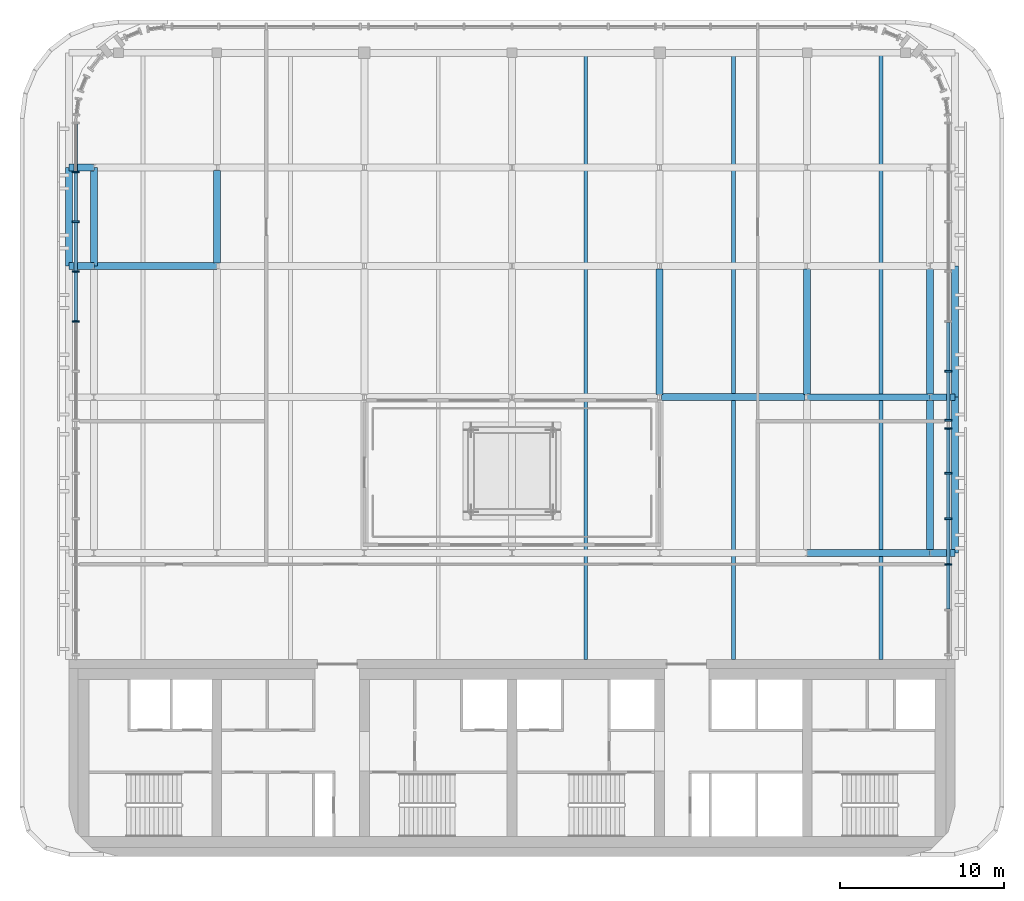
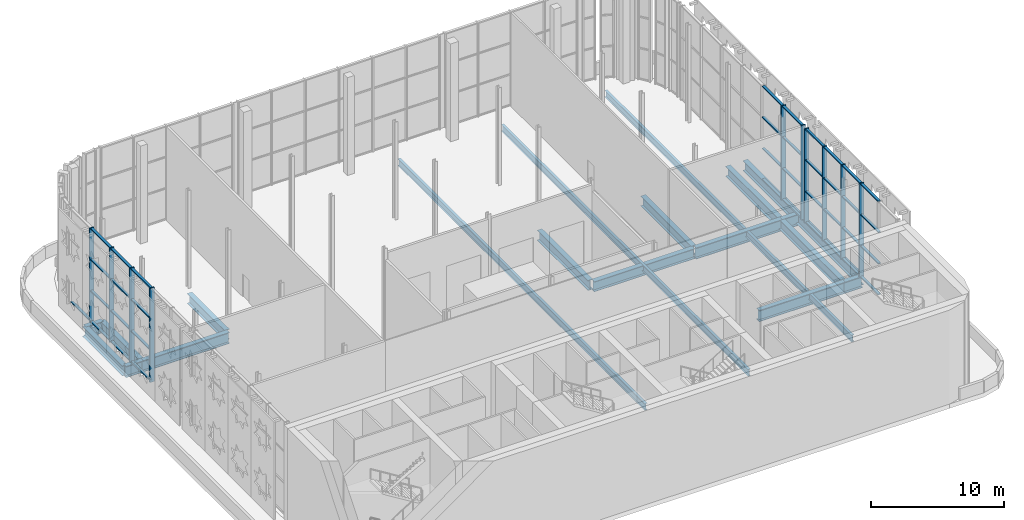
# One storey, part 11 of 26: 47 members, 20 beams, 3 elements without a shape of their own.
"""IFC4 building model written with IfcOpenShell, lengths in metres."""

from ifc_helpers import new_model, si_unit, direction, frame, origin, origin_2d, place, context, subcontext, project, spatial, rectangle, i_section, extrude, material, material_profile, profile_set, type_object, element, aggregate, save


model = new_model("IFC4")

# Units and contexts
model_context = context("Model", 3, precision=1e-05, world=origin(), true_north=direction((0.0, 1.0)))
body_context = subcontext(model_context, "Body", "Model", "MODEL_VIEW")
ifc_project = project(units=[si_unit("LENGTHUNIT", "METRE"), si_unit("AREAUNIT", "SQUARE_METRE"), si_unit("VOLUMEUNIT", "CUBIC_METRE"), si_unit("PLANEANGLEUNIT", "RADIAN"), si_unit("MASSUNIT", "GRAM", prefix="KILO")], contexts=[model_context])

# Site, building, storey
site_placement = place(None, origin())
site = spatial("IfcSite", under=ifc_project, at=site_placement, CompositionType="ELEMENT")
building_placement = place(site_placement, origin())
building = spatial("IfcBuilding", under=site, at=building_placement, Name="Zellij Exchange Tower", CompositionType="ELEMENT")
storey_placement = place(building_placement, frame((0.0, 0.0, 296.5)))
storey = spatial("IfcBuildingStorey", under=building, at=storey_placement, Name="L70", CompositionType="ELEMENT", Elevation=296.5)

# Curtain wall, members
ifc_material_1 = material(Name="Bronze anodised aluminium frame, bronze laminated glass", Category="aluminium")
curtain_wall_type = type_object("IfcCurtainWallType", Name="ENV-CW5 Damper-gallery glazing", PredefinedType="NOTDEFINED", material=ifc_material_1)
curtain_wall_1_placement = place(storey_placement, origin())
curtain_wall_1 = element("IfcCurtainWall", 1, at=curtain_wall_1_placement, inside=storey, type_object=curtain_wall_type, Name="cw.L70.04a", PredefinedType="NOTDEFINED")
ifc_material_2 = material(Name="Aluminium, bronze anodised", Category="aluminium")
ifc_material_profile_1 = material_profile(ifc_material_2, rectangle(XDim=0.10009765625, YDim=0.39990234375, at=origin_2d()), Name="AL 100x400")
ifc_profile_set_1 = profile_set([ifc_material_profile_1], Name="Aluminium, bronze anodised")
member_type_1 = type_object("IfcMemberType", Name="ENV-CW5M Mullion 100x400", PredefinedType="MULLION", material=ifc_profile_set_1)
member_1_placement = place(storey_placement, frame((26.60009765625, 3.806884765625, 0.0), z_axis=(0.0, 0.0, 1.0), x_axis=(0.0, 1.0, 0.0)))
member_1 = element("IfcMember", 2, at=member_1_placement, type_object=member_type_1, Name="CW5 mullion 3", PredefinedType="MULLION", context=body_context, shape_type="SweptSolid", body=[
    extrude(rectangle(XDim=0.10009765625, YDim=0.39990234375, at=origin_2d()), origin(), (0.0, 0.0, 1.0), 8.64990234375),
])
member_2_placement = place(storey_placement, frame((26.60009765625, 6.585205078125, 0.0), z_axis=(0.0, 0.0, 1.0), x_axis=(0.0, 1.0, 0.0)))
member_2 = element("IfcMember", 3, at=member_2_placement, type_object=member_type_1, Name="CW5 mullion 4", PredefinedType="MULLION", context=body_context, shape_type="SweptSolid", body=[
    extrude(rectangle(XDim=0.10009765625, YDim=0.39990234375, at=origin_2d()), origin(), (0.0, 0.0, 1.0), 8.64990234375),
])
member_3_placement = place(storey_placement, frame((26.60009765625, 9.36376953125, 0.0), z_axis=(0.0, 0.0, 1.0), x_axis=(0.0, 1.0, 0.0)))
member_3 = element("IfcMember", 4, at=member_3_placement, type_object=member_type_1, Name="CW5 mullion 5", PredefinedType="MULLION", context=body_context, shape_type="SweptSolid", body=[
    extrude(rectangle(XDim=0.10009765625, YDim=0.39990234375, at=origin_2d()), origin(), (0.0, 0.0, 1.0), 8.64990234375),
])
member_4_placement = place(storey_placement, frame((26.60009765625, 12.09228515625, 0.0), z_axis=(0.0, 0.0, 1.0), x_axis=(0.0, 1.0, 0.0)))
member_4 = element("IfcMember", 5, at=member_4_placement, type_object=member_type_1, Name="CW5 mullion 6", PredefinedType="MULLION", context=body_context, shape_type="SweptSolid", body=[
    extrude(rectangle(XDim=0.10009765625, YDim=0.39990234375, at=origin_2d()), origin(), (0.0, 0.0, 1.0), 8.64990234375),
])

curtain_wall_2_placement = place(storey_placement, origin())
curtain_wall_2 = element("IfcCurtainWall", 6, at=curtain_wall_2_placement, inside=storey, type_object=curtain_wall_type, Name="cw.L70.04b", PredefinedType="NOTDEFINED")
member_5_placement = place(storey_placement, frame((26.60009765625, 12.59228515625, 0.0), z_axis=(0.0, 0.0, 1.0), x_axis=(0.0, 1.0, 0.0)))
member_5 = element("IfcMember", 7, at=member_5_placement, type_object=member_type_1, Name="CW5 mullion 1", PredefinedType="MULLION", context=body_context, shape_type="SweptSolid", body=[
    extrude(rectangle(XDim=0.10009765625, YDim=0.39990234375, at=origin_2d()), origin(), (0.0, 0.0, 1.0), 8.64990234375),
])
member_6_placement = place(storey_placement, frame((26.60009765625, 15.580810546875, 0.0), z_axis=(0.0, 0.0, 1.0), x_axis=(0.0, 1.0, 0.0)))
member_6 = element("IfcMember", 8, at=member_6_placement, type_object=member_type_1, Name="CW5 mullion 2", PredefinedType="MULLION", context=body_context, shape_type="SweptSolid", body=[
    extrude(rectangle(XDim=0.10009765625, YDim=0.39990234375, at=origin_2d()), origin(), (0.0, 0.0, 1.0), 8.64990234375),
])

curtain_wall_3_placement = place(storey_placement, origin())
curtain_wall_3 = element("IfcCurtainWall", 9, at=curtain_wall_3_placement, inside=storey, type_object=curtain_wall_type, Name="cw.L70.18a", PredefinedType="NOTDEFINED")
member_7_placement = place(storey_placement, frame((-26.60009765625, 27.735107421875, 0.0), z_axis=(0.0, 0.0, 1.0), x_axis=(0.0, -1.0, 0.0)))
member_7 = element("IfcMember", 10, at=member_7_placement, type_object=member_type_1, Name="CW5 mullion 2", PredefinedType="MULLION", context=body_context, shape_type="SweptSolid", body=[
    extrude(rectangle(XDim=0.10009765625, YDim=0.39990234375, at=origin_2d()), origin(), (0.0, 0.0, 1.0), 8.64990234375),
])
member_8_placement = place(storey_placement, frame((-26.60009765625, 24.696533203125, 0.0), z_axis=(0.0, 0.0, 1.0), x_axis=(0.0, -1.0, 0.0)))
member_8 = element("IfcMember", 11, at=member_8_placement, type_object=member_type_1, Name="CW5 mullion 3", PredefinedType="MULLION", context=body_context, shape_type="SweptSolid", body=[
    extrude(rectangle(XDim=0.10009765625, YDim=0.39990234375, at=origin_2d()), origin(), (0.0, 0.0, 1.0), 8.64990234375),
])
member_9_placement = place(storey_placement, frame((-26.60009765625, 21.657958984375, 0.0), z_axis=(0.0, 0.0, 1.0), x_axis=(0.0, -1.0, 0.0)))
member_9 = element("IfcMember", 12, at=member_9_placement, type_object=member_type_1, Name="CW5 mullion 4", PredefinedType="MULLION", context=body_context, shape_type="SweptSolid", body=[
    extrude(rectangle(XDim=0.10009765625, YDim=0.39990234375, at=origin_2d()), origin(), (0.0, 0.0, 1.0), 8.64990234375),
])
member_10_placement = place(storey_placement, frame((-26.60009765625, 18.619384765625, 0.0), z_axis=(0.0, 0.0, 1.0), x_axis=(0.0, -1.0, 0.0)))
member_10 = element("IfcMember", 13, at=member_10_placement, type_object=member_type_1, Name="CW5 mullion 5", PredefinedType="MULLION", context=body_context, shape_type="SweptSolid", body=[
    extrude(rectangle(XDim=0.10009765625, YDim=0.39990234375, at=origin_2d()), origin(), (0.0, 0.0, 1.0), 8.64990234375),
])

# Member
ifc_material_profile_2 = material_profile(ifc_material_2, rectangle(XDim=0.219970703125, YDim=0.10009765625, at=origin_2d()), Name="AL 220x100")
ifc_profile_set_2 = profile_set([ifc_material_profile_2], Name="Aluminium, bronze anodised")
member_type_2 = type_object("IfcMemberType", Name="ENV-CW5T Transom 220x100", PredefinedType="USERDEFINED", material=ifc_profile_set_2)
member_11_placement = place(storey_placement, frame((26.60009765625, 1.078369140625, 0.050048828125), z_axis=(0.0, 1.0, 0.0), x_axis=(-1.0, 0.0, 0.0)))
member_11 = element("IfcMember", 14, at=member_11_placement, type_object=member_type_2, Name="CW5 transom 2.1", ObjectType="TRANSOM", PredefinedType="USERDEFINED", context=body_context, shape_type="SweptSolid", body=[
    extrude(rectangle(XDim=0.219970703125, YDim=0.10009765625, at=origin_2d()), origin(), (0.0, 0.0, 1.0), 2.678466796875),
])

member_12_placement = place(storey_placement, frame((26.60009765625, 1.078369140625, 2.88330078125), z_axis=(0.0, 1.0, 0.0), x_axis=(-1.0, 0.0, 0.0)))
member_12 = element("IfcMember", 15, at=member_12_placement, type_object=member_type_2, Name="CW5 transom 2.2", ObjectType="TRANSOM", PredefinedType="USERDEFINED", context=body_context, shape_type="SweptSolid", body=[
    extrude(rectangle(XDim=0.219970703125, YDim=0.10009765625, at=origin_2d()), origin(), (0.0, 0.0, 1.0), 2.678466796875),
])

member_13_placement = place(storey_placement, frame((26.60009765625, 1.078369140625, 5.7666015625), z_axis=(0.0, 1.0, 0.0), x_axis=(-1.0, 0.0, 0.0)))
member_13 = element("IfcMember", 16, at=member_13_placement, type_object=member_type_2, Name="CW5 transom 2.3", ObjectType="TRANSOM", PredefinedType="USERDEFINED", context=body_context, shape_type="SweptSolid", body=[
    extrude(rectangle(XDim=0.219970703125, YDim=0.10009765625, at=origin_2d()), origin(), (0.0, 0.0, 1.0), 2.678466796875),
])

member_14_placement = place(storey_placement, frame((26.60009765625, 1.078369140625, 8.60009765625), z_axis=(0.0, 1.0, 0.0), x_axis=(-1.0, 0.0, 0.0)))
member_14 = element("IfcMember", 17, at=member_14_placement, type_object=member_type_2, Name="CW5 transom 2.4", ObjectType="TRANSOM", PredefinedType="USERDEFINED", context=body_context, shape_type="SweptSolid", body=[
    extrude(rectangle(XDim=0.219970703125, YDim=0.10009765625, at=origin_2d()), origin(), (0.0, 0.0, 1.0), 2.678466796875),
])

member_15_placement = place(storey_placement, frame((26.60009765625, 3.85693359375, 0.050048828125), z_axis=(0.0, 1.0, 0.0), x_axis=(-1.0, 0.0, 0.0)))
member_15 = element("IfcMember", 18, at=member_15_placement, type_object=member_type_2, Name="CW5 transom 3.1", ObjectType="TRANSOM", PredefinedType="USERDEFINED", context=body_context, shape_type="SweptSolid", body=[
    extrude(rectangle(XDim=0.219970703125, YDim=0.10009765625, at=origin_2d()), origin(), (0.0, 0.0, 1.0), 2.678466796875),
])

member_16_placement = place(storey_placement, frame((26.60009765625, 3.85693359375, 2.88330078125), z_axis=(0.0, 1.0, 0.0), x_axis=(-1.0, 0.0, 0.0)))
member_16 = element("IfcMember", 19, at=member_16_placement, type_object=member_type_2, Name="CW5 transom 3.2", ObjectType="TRANSOM", PredefinedType="USERDEFINED", context=body_context, shape_type="SweptSolid", body=[
    extrude(rectangle(XDim=0.219970703125, YDim=0.10009765625, at=origin_2d()), origin(), (0.0, 0.0, 1.0), 2.678466796875),
])

member_17_placement = place(storey_placement, frame((26.60009765625, 3.85693359375, 5.7666015625), z_axis=(0.0, 1.0, 0.0), x_axis=(-1.0, 0.0, 0.0)))
member_17 = element("IfcMember", 20, at=member_17_placement, type_object=member_type_2, Name="CW5 transom 3.3", ObjectType="TRANSOM", PredefinedType="USERDEFINED", context=body_context, shape_type="SweptSolid", body=[
    extrude(rectangle(XDim=0.219970703125, YDim=0.10009765625, at=origin_2d()), origin(), (0.0, 0.0, 1.0), 2.678466796875),
])

member_18_placement = place(storey_placement, frame((26.60009765625, 3.85693359375, 8.60009765625), z_axis=(0.0, 1.0, 0.0), x_axis=(-1.0, 0.0, 0.0)))
member_18 = element("IfcMember", 21, at=member_18_placement, type_object=member_type_2, Name="CW5 transom 3.4", ObjectType="TRANSOM", PredefinedType="USERDEFINED", context=body_context, shape_type="SweptSolid", body=[
    extrude(rectangle(XDim=0.219970703125, YDim=0.10009765625, at=origin_2d()), origin(), (0.0, 0.0, 1.0), 2.678466796875),
])

member_19_placement = place(storey_placement, frame((26.60009765625, 6.63525390625, 0.050048828125), z_axis=(0.0, 1.0, 0.0), x_axis=(-1.0, 0.0, 0.0)))
member_19 = element("IfcMember", 22, at=member_19_placement, type_object=member_type_2, Name="CW5 transom 4.1", ObjectType="TRANSOM", PredefinedType="USERDEFINED", context=body_context, shape_type="SweptSolid", body=[
    extrude(rectangle(XDim=0.219970703125, YDim=0.10009765625, at=origin_2d()), origin(), (0.0, 0.0, 1.0), 2.678466796875),
])

member_20_placement = place(storey_placement, frame((26.60009765625, 6.63525390625, 2.88330078125), z_axis=(0.0, 1.0, 0.0), x_axis=(-1.0, 0.0, 0.0)))
member_20 = element("IfcMember", 23, at=member_20_placement, type_object=member_type_2, Name="CW5 transom 4.2", ObjectType="TRANSOM", PredefinedType="USERDEFINED", context=body_context, shape_type="SweptSolid", body=[
    extrude(rectangle(XDim=0.219970703125, YDim=0.10009765625, at=origin_2d()), origin(), (0.0, 0.0, 1.0), 2.678466796875),
])

member_21_placement = place(storey_placement, frame((26.60009765625, 6.63525390625, 5.7666015625), z_axis=(0.0, 1.0, 0.0), x_axis=(-1.0, 0.0, 0.0)))
member_21 = element("IfcMember", 24, at=member_21_placement, type_object=member_type_2, Name="CW5 transom 4.3", ObjectType="TRANSOM", PredefinedType="USERDEFINED", context=body_context, shape_type="SweptSolid", body=[
    extrude(rectangle(XDim=0.219970703125, YDim=0.10009765625, at=origin_2d()), origin(), (0.0, 0.0, 1.0), 2.678466796875),
])

member_22_placement = place(storey_placement, frame((26.60009765625, 6.63525390625, 8.60009765625), z_axis=(0.0, 1.0, 0.0), x_axis=(-1.0, 0.0, 0.0)))
member_22 = element("IfcMember", 25, at=member_22_placement, type_object=member_type_2, Name="CW5 transom 4.4", ObjectType="TRANSOM", PredefinedType="USERDEFINED", context=body_context, shape_type="SweptSolid", body=[
    extrude(rectangle(XDim=0.219970703125, YDim=0.10009765625, at=origin_2d()), origin(), (0.0, 0.0, 1.0), 2.678466796875),
])

member_23_placement = place(storey_placement, frame((26.60009765625, 9.413818359375, 0.050048828125), z_axis=(0.0, 1.0, 0.0), x_axis=(-1.0, 0.0, 0.0)))
member_23 = element("IfcMember", 26, at=member_23_placement, type_object=member_type_2, Name="CW5 transom 5.1", ObjectType="TRANSOM", PredefinedType="USERDEFINED", context=body_context, shape_type="SweptSolid", body=[
    extrude(rectangle(XDim=0.219970703125, YDim=0.10009765625, at=origin_2d()), origin(), (0.0, 0.0, 1.0), 2.62841796875),
])

member_24_placement = place(storey_placement, frame((26.60009765625, 9.413818359375, 2.88330078125), z_axis=(0.0, 1.0, 0.0), x_axis=(-1.0, 0.0, 0.0)))
member_24 = element("IfcMember", 27, at=member_24_placement, type_object=member_type_2, Name="CW5 transom 5.2", ObjectType="TRANSOM", PredefinedType="USERDEFINED", context=body_context, shape_type="SweptSolid", body=[
    extrude(rectangle(XDim=0.219970703125, YDim=0.10009765625, at=origin_2d()), origin(), (0.0, 0.0, 1.0), 2.62841796875),
])

member_25_placement = place(storey_placement, frame((26.60009765625, 9.413818359375, 5.7666015625), z_axis=(0.0, 1.0, 0.0), x_axis=(-1.0, 0.0, 0.0)))
member_25 = element("IfcMember", 28, at=member_25_placement, type_object=member_type_2, Name="CW5 transom 5.3", ObjectType="TRANSOM", PredefinedType="USERDEFINED", context=body_context, shape_type="SweptSolid", body=[
    extrude(rectangle(XDim=0.219970703125, YDim=0.10009765625, at=origin_2d()), origin(), (0.0, 0.0, 1.0), 2.62841796875),
])

member_26_placement = place(storey_placement, frame((26.60009765625, 9.413818359375, 8.60009765625), z_axis=(0.0, 1.0, 0.0), x_axis=(-1.0, 0.0, 0.0)))
member_26 = element("IfcMember", 29, at=member_26_placement, type_object=member_type_2, Name="CW5 transom 5.4", ObjectType="TRANSOM", PredefinedType="USERDEFINED", context=body_context, shape_type="SweptSolid", body=[
    extrude(rectangle(XDim=0.219970703125, YDim=0.10009765625, at=origin_2d()), origin(), (0.0, 0.0, 1.0), 2.62841796875),
])

aggregate(curtain_wall_1, [member_1, member_2, member_3, member_4, member_11, member_12, member_13, member_14, member_15, member_16, member_17, member_18, member_19, member_20, member_21, member_22, member_23, member_24, member_25, member_26])

member_27_placement = place(storey_placement, frame((26.60009765625, 12.64208984375, 0.050048828125), z_axis=(0.0, 1.0, 0.0), x_axis=(-1.0, 0.0, 0.0)))
member_27 = element("IfcMember", 30, at=member_27_placement, type_object=member_type_2, Name="CW5 transom 1.1", ObjectType="TRANSOM", PredefinedType="USERDEFINED", context=body_context, shape_type="SweptSolid", body=[
    extrude(rectangle(XDim=0.219970703125, YDim=0.10009765625, at=origin_2d()), origin(), (0.0, 0.0, 1.0), 2.888671875),
])

member_28_placement = place(storey_placement, frame((26.60009765625, 12.64208984375, 2.88330078125), z_axis=(0.0, 1.0, 0.0), x_axis=(-1.0, 0.0, 0.0)))
member_28 = element("IfcMember", 31, at=member_28_placement, type_object=member_type_2, Name="CW5 transom 1.2", ObjectType="TRANSOM", PredefinedType="USERDEFINED", context=body_context, shape_type="SweptSolid", body=[
    extrude(rectangle(XDim=0.219970703125, YDim=0.10009765625, at=origin_2d()), origin(), (0.0, 0.0, 1.0), 2.888671875),
])

member_29_placement = place(storey_placement, frame((26.60009765625, 12.64208984375, 5.7666015625), z_axis=(0.0, 1.0, 0.0), x_axis=(-1.0, 0.0, 0.0)))
member_29 = element("IfcMember", 32, at=member_29_placement, type_object=member_type_2, Name="CW5 transom 1.3", ObjectType="TRANSOM", PredefinedType="USERDEFINED", context=body_context, shape_type="SweptSolid", body=[
    extrude(rectangle(XDim=0.219970703125, YDim=0.10009765625, at=origin_2d()), origin(), (0.0, 0.0, 1.0), 2.888671875),
])

member_30_placement = place(storey_placement, frame((26.60009765625, 12.64208984375, 8.60009765625), z_axis=(0.0, 1.0, 0.0), x_axis=(-1.0, 0.0, 0.0)))
member_30 = element("IfcMember", 33, at=member_30_placement, type_object=member_type_2, Name="CW5 transom 1.4", ObjectType="TRANSOM", PredefinedType="USERDEFINED", context=body_context, shape_type="SweptSolid", body=[
    extrude(rectangle(XDim=0.219970703125, YDim=0.10009765625, at=origin_2d()), origin(), (0.0, 0.0, 1.0), 2.888671875),
])

member_31_placement = place(storey_placement, frame((26.60009765625, 15.630859375, 0.050048828125), z_axis=(0.0, 1.0, 0.0), x_axis=(-1.0, 0.0, 0.0)))
member_31 = element("IfcMember", 34, at=member_31_placement, type_object=member_type_2, Name="CW5 transom 2.1", ObjectType="TRANSOM", PredefinedType="USERDEFINED", context=body_context, shape_type="SweptSolid", body=[
    extrude(rectangle(XDim=0.219970703125, YDim=0.10009765625, at=origin_2d()), origin(), (0.0, 0.0, 1.0), 2.9384765625),
])

member_32_placement = place(storey_placement, frame((26.60009765625, 15.630859375, 2.88330078125), z_axis=(0.0, 1.0, 0.0), x_axis=(-1.0, 0.0, 0.0)))
member_32 = element("IfcMember", 35, at=member_32_placement, type_object=member_type_2, Name="CW5 transom 2.2", ObjectType="TRANSOM", PredefinedType="USERDEFINED", context=body_context, shape_type="SweptSolid", body=[
    extrude(rectangle(XDim=0.219970703125, YDim=0.10009765625, at=origin_2d()), origin(), (0.0, 0.0, 1.0), 2.9384765625),
])

member_33_placement = place(storey_placement, frame((26.60009765625, 15.630859375, 5.7666015625), z_axis=(0.0, 1.0, 0.0), x_axis=(-1.0, 0.0, 0.0)))
member_33 = element("IfcMember", 36, at=member_33_placement, type_object=member_type_2, Name="CW5 transom 2.3", ObjectType="TRANSOM", PredefinedType="USERDEFINED", context=body_context, shape_type="SweptSolid", body=[
    extrude(rectangle(XDim=0.219970703125, YDim=0.10009765625, at=origin_2d()), origin(), (0.0, 0.0, 1.0), 2.9384765625),
])

member_34_placement = place(storey_placement, frame((26.60009765625, 15.630859375, 8.60009765625), z_axis=(0.0, 1.0, 0.0), x_axis=(-1.0, 0.0, 0.0)))
member_34 = element("IfcMember", 37, at=member_34_placement, type_object=member_type_2, Name="CW5 transom 2.4", ObjectType="TRANSOM", PredefinedType="USERDEFINED", context=body_context, shape_type="SweptSolid", body=[
    extrude(rectangle(XDim=0.219970703125, YDim=0.10009765625, at=origin_2d()), origin(), (0.0, 0.0, 1.0), 2.9384765625),
])

aggregate(curtain_wall_2, [member_5, member_6, member_27, member_28, member_29, member_30, member_31, member_32, member_33, member_34])

member_35_placement = place(storey_placement, frame((-26.60009765625, 30.673828125, 0.050048828125), z_axis=(0.0, -1.0, 0.0), x_axis=(1.0, 0.0, 0.0)))
member_35 = element("IfcMember", 38, at=member_35_placement, type_object=member_type_2, Name="CW5 transom 1.1", ObjectType="TRANSOM", PredefinedType="USERDEFINED", context=body_context, shape_type="SweptSolid", body=[
    extrude(rectangle(XDim=0.219970703125, YDim=0.10009765625, at=origin_2d()), origin(), (0.0, 0.0, 1.0), 2.888671875),
])

member_36_placement = place(storey_placement, frame((-26.60009765625, 27.685302734375, 0.050048828125), z_axis=(0.0, -1.0, 0.0), x_axis=(1.0, 0.0, 0.0)))
member_36 = element("IfcMember", 39, at=member_36_placement, type_object=member_type_2, Name="CW5 transom 2.1", ObjectType="TRANSOM", PredefinedType="USERDEFINED", context=body_context, shape_type="SweptSolid", body=[
    extrude(rectangle(XDim=0.219970703125, YDim=0.10009765625, at=origin_2d()), origin(), (0.0, 0.0, 1.0), 2.938720703125),
])

member_37_placement = place(storey_placement, frame((-26.60009765625, 27.685302734375, 2.88330078125), z_axis=(0.0, -1.0, 0.0), x_axis=(1.0, 0.0, 0.0)))
member_37 = element("IfcMember", 40, at=member_37_placement, type_object=member_type_2, Name="CW5 transom 2.2", ObjectType="TRANSOM", PredefinedType="USERDEFINED", context=body_context, shape_type="SweptSolid", body=[
    extrude(rectangle(XDim=0.219970703125, YDim=0.10009765625, at=origin_2d()), origin(), (0.0, 0.0, 1.0), 2.938720703125),
])

member_38_placement = place(storey_placement, frame((-26.60009765625, 27.685302734375, 5.7666015625), z_axis=(0.0, -1.0, 0.0), x_axis=(1.0, 0.0, 0.0)))
member_38 = element("IfcMember", 41, at=member_38_placement, type_object=member_type_2, Name="CW5 transom 2.3", ObjectType="TRANSOM", PredefinedType="USERDEFINED", context=body_context, shape_type="SweptSolid", body=[
    extrude(rectangle(XDim=0.219970703125, YDim=0.10009765625, at=origin_2d()), origin(), (0.0, 0.0, 1.0), 2.938720703125),
])

member_39_placement = place(storey_placement, frame((-26.60009765625, 27.685302734375, 8.60009765625), z_axis=(0.0, -1.0, 0.0), x_axis=(1.0, 0.0, 0.0)))
member_39 = element("IfcMember", 42, at=member_39_placement, type_object=member_type_2, Name="CW5 transom 2.4", ObjectType="TRANSOM", PredefinedType="USERDEFINED", context=body_context, shape_type="SweptSolid", body=[
    extrude(rectangle(XDim=0.219970703125, YDim=0.10009765625, at=origin_2d()), origin(), (0.0, 0.0, 1.0), 2.938720703125),
])

member_40_placement = place(storey_placement, frame((-26.60009765625, 24.646484375, 0.050048828125), z_axis=(0.0, -1.0, 0.0), x_axis=(1.0, 0.0, 0.0)))
member_40 = element("IfcMember", 43, at=member_40_placement, type_object=member_type_2, Name="CW5 transom 3.1", ObjectType="TRANSOM", PredefinedType="USERDEFINED", context=body_context, shape_type="SweptSolid", body=[
    extrude(rectangle(XDim=0.219970703125, YDim=0.10009765625, at=origin_2d()), origin(), (0.0, 0.0, 1.0), 2.9384765625),
])

member_41_placement = place(storey_placement, frame((-26.60009765625, 24.646484375, 2.88330078125), z_axis=(0.0, -1.0, 0.0), x_axis=(1.0, 0.0, 0.0)))
member_41 = element("IfcMember", 44, at=member_41_placement, type_object=member_type_2, Name="CW5 transom 3.2", ObjectType="TRANSOM", PredefinedType="USERDEFINED", context=body_context, shape_type="SweptSolid", body=[
    extrude(rectangle(XDim=0.219970703125, YDim=0.10009765625, at=origin_2d()), origin(), (0.0, 0.0, 1.0), 2.9384765625),
])

member_42_placement = place(storey_placement, frame((-26.60009765625, 24.646484375, 5.7666015625), z_axis=(0.0, -1.0, 0.0), x_axis=(1.0, 0.0, 0.0)))
member_42 = element("IfcMember", 45, at=member_42_placement, type_object=member_type_2, Name="CW5 transom 3.3", ObjectType="TRANSOM", PredefinedType="USERDEFINED", context=body_context, shape_type="SweptSolid", body=[
    extrude(rectangle(XDim=0.219970703125, YDim=0.10009765625, at=origin_2d()), origin(), (0.0, 0.0, 1.0), 2.9384765625),
])

member_43_placement = place(storey_placement, frame((-26.60009765625, 24.646484375, 8.60009765625), z_axis=(0.0, -1.0, 0.0), x_axis=(1.0, 0.0, 0.0)))
member_43 = element("IfcMember", 46, at=member_43_placement, type_object=member_type_2, Name="CW5 transom 3.4", ObjectType="TRANSOM", PredefinedType="USERDEFINED", context=body_context, shape_type="SweptSolid", body=[
    extrude(rectangle(XDim=0.219970703125, YDim=0.10009765625, at=origin_2d()), origin(), (0.0, 0.0, 1.0), 2.9384765625),
])

member_44_placement = place(storey_placement, frame((-26.60009765625, 21.60791015625, 0.050048828125), z_axis=(0.0, -1.0, 0.0), x_axis=(1.0, 0.0, 0.0)))
member_44 = element("IfcMember", 47, at=member_44_placement, type_object=member_type_2, Name="CW5 transom 4.1", ObjectType="TRANSOM", PredefinedType="USERDEFINED", context=body_context, shape_type="SweptSolid", body=[
    extrude(rectangle(XDim=0.219970703125, YDim=0.10009765625, at=origin_2d()), origin(), (0.0, 0.0, 1.0), 2.9384765625),
])

member_45_placement = place(storey_placement, frame((-26.60009765625, 21.60791015625, 2.88330078125), z_axis=(0.0, -1.0, 0.0), x_axis=(1.0, 0.0, 0.0)))
member_45 = element("IfcMember", 48, at=member_45_placement, type_object=member_type_2, Name="CW5 transom 4.2", ObjectType="TRANSOM", PredefinedType="USERDEFINED", context=body_context, shape_type="SweptSolid", body=[
    extrude(rectangle(XDim=0.219970703125, YDim=0.10009765625, at=origin_2d()), origin(), (0.0, 0.0, 1.0), 2.9384765625),
])

member_46_placement = place(storey_placement, frame((-26.60009765625, 21.60791015625, 5.7666015625), z_axis=(0.0, -1.0, 0.0), x_axis=(1.0, 0.0, 0.0)))
member_46 = element("IfcMember", 49, at=member_46_placement, type_object=member_type_2, Name="CW5 transom 4.3", ObjectType="TRANSOM", PredefinedType="USERDEFINED", context=body_context, shape_type="SweptSolid", body=[
    extrude(rectangle(XDim=0.219970703125, YDim=0.10009765625, at=origin_2d()), origin(), (0.0, 0.0, 1.0), 2.9384765625),
])

member_47_placement = place(storey_placement, frame((-26.60009765625, 21.60791015625, 8.60009765625), z_axis=(0.0, -1.0, 0.0), x_axis=(1.0, 0.0, 0.0)))
member_47 = element("IfcMember", 50, at=member_47_placement, type_object=member_type_2, Name="CW5 transom 4.4", ObjectType="TRANSOM", PredefinedType="USERDEFINED", context=body_context, shape_type="SweptSolid", body=[
    extrude(rectangle(XDim=0.219970703125, YDim=0.10009765625, at=origin_2d()), origin(), (0.0, 0.0, 1.0), 2.9384765625),
])

aggregate(curtain_wall_3, [member_7, member_8, member_9, member_10, member_35, member_36, member_37, member_38, member_39, member_40, member_41, member_42, member_43, member_44, member_45, member_46, member_47])

# Beams
ifc_material_3 = material(Name="Structural steel ASTM A992 Gr 50", Category="steel")
ifc_material_profile_3 = material_profile(ifc_material_3, i_section(OverallWidth=0.22900390625, OverallDepth=0.612060546875, WebThickness=0.011962890625, FlangeThickness=0.01953125, at=origin_2d()), Name="W24x84")
ifc_profile_set_3 = profile_set([ifc_material_profile_3], Name="Structural steel ASTM A992 Gr 50")
beam_type_1 = type_object("IfcBeamType", Name="STR-BEAM W24x84", PredefinedType="BEAM", material=ifc_profile_set_3)
for number, where, z_axis, x_axis, name in (
    (51, (4.5, -2.0, -0.7060546875), (0.0, 1.0, 0.0), (-1.0, 0.0, 0.0), "B6"),
    (52, (13.5, -2.0, -0.7060546875), (0.0, 1.0, 0.0), (-1.0, 0.0, 0.0), "B6"),
):
    element("IfcBeam", number, at=place(storey_placement, frame(where, z_axis=z_axis, x_axis=x_axis)), inside=storey, type_object=beam_type_1, Name=name, PredefinedType="BEAM", context=body_context, shape_type="SweptSolid", body=[
        extrude(i_section(OverallWidth=0.22900390625, OverallDepth=0.612060546875, WebThickness=0.011962890625, FlangeThickness=0.01953125, at=origin_2d()), origin(), (0.0, 0.0, 1.0), 37.212158203125),
    ])
beam_1_placement = place(storey_placement, frame((22.5, -2.0, -0.7060546875), z_axis=(0.0, 1.0, 0.0), x_axis=(-1.0, 0.0, 0.0)))
element("IfcBeam", 53, at=beam_1_placement, inside=storey, type_object=beam_type_1, Name="B6", PredefinedType="BEAM", context=body_context, shape_type="SweptSolid", body=[
    extrude(i_section(OverallWidth=0.22900390625, OverallDepth=0.612060546875, WebThickness=0.011962890625, FlangeThickness=0.01953125, at=origin_2d()), origin(), (0.0, 0.0, 1.0), 37.20458984375),
])
ifc_material_4 = material(Name="Structural steel ASTM A913 Gr 65", Category="steel")
ifc_material_profile_4 = material_profile(ifc_material_4, i_section(OverallWidth=0.424072265625, OverallDepth=0.93212890625, WebThickness=0.02392578125, FlangeThickness=0.042724609375, at=origin_2d()), Name="W36x300")
ifc_profile_set_4 = profile_set([ifc_material_profile_4], Name="Structural steel ASTM A913 Gr 65")
beam_type_2 = type_object("IfcBeamType", Name="STR-GIRDER W36x300", PredefinedType="BEAM", material=ifc_profile_set_4)
beam_2_placement = place(storey_placement, frame((9.126953125, 14.0, -0.8662109375), z_axis=(1.0, 0.0, 0.0), x_axis=(0.0, 1.0, 0.0)))
element("IfcBeam", 54, at=beam_2_placement, inside=storey, type_object=beam_type_2, Name="G5", PredefinedType="BEAM", context=body_context, shape_type="SweptSolid", body=[
    extrude(i_section(OverallWidth=0.424072265625, OverallDepth=0.93212890625, WebThickness=0.02392578125, FlangeThickness=0.042724609375, at=origin_2d()), origin(), (0.0, 0.0, 1.0), 8.74609375),
])
for number, where, z_axis, x_axis, name in (
    (55, (-27.0, 22.0, -0.8662109375), (0.0, 1.0, 0.0), (-1.0, 0.0, 0.0), "G5"),
    (56, (-25.5, 22.0, -0.8662109375), (0.0, 1.0, 0.0), (-1.0, 0.0, 0.0), "G5"),
):
    element("IfcBeam", number, at=place(storey_placement, frame(where, z_axis=z_axis, x_axis=x_axis)), inside=storey, type_object=beam_type_2, Name=name, PredefinedType="BEAM", context=body_context, shape_type="SweptSolid", body=[
        extrude(i_section(OverallWidth=0.424072265625, OverallDepth=0.93212890625, WebThickness=0.02392578125, FlangeThickness=0.042724609375, at=origin_2d()), origin(), (0.0, 0.0, 1.0), 6.0),
    ])
beam_3_placement = place(storey_placement, frame((-18.0, 22.176513671875, -0.8662109375), z_axis=(0.0, 1.0, 0.0), x_axis=(-1.0, 0.0, 0.0)))
element("IfcBeam", 57, at=beam_3_placement, inside=storey, type_object=beam_type_2, Name="G5", PredefinedType="BEAM", context=body_context, shape_type="SweptSolid", body=[
    extrude(i_section(OverallWidth=0.424072265625, OverallDepth=0.93212890625, WebThickness=0.02392578125, FlangeThickness=0.042724609375, at=origin_2d()), origin(), (0.0, 0.0, 1.0), 5.64697265625),
])
for number, where, z_axis, x_axis, name in (
    (58, (9.0, 14.176513671875, -0.8662109375), (0.0, 1.0, 0.0), (-1.0, 0.0, 0.0), "G5"),
    (59, (18.0, 14.176513671875, -0.8662109375), (0.0, 1.0, 0.0), (-1.0, 0.0, 0.0), "G5"),
):
    element("IfcBeam", number, at=place(storey_placement, frame(where, z_axis=z_axis, x_axis=x_axis)), inside=storey, type_object=beam_type_2, Name=name, PredefinedType="BEAM", context=body_context, shape_type="SweptSolid", body=[
        extrude(i_section(OverallWidth=0.424072265625, OverallDepth=0.93212890625, WebThickness=0.02392578125, FlangeThickness=0.042724609375, at=origin_2d()), origin(), (0.0, 0.0, 1.0), 7.64697265625),
    ])
beam_4_placement = place(storey_placement, frame((25.5, 4.5, -0.8662109375), z_axis=(0.0, 1.0, 0.0), x_axis=(-1.0, 0.0, 0.0)))
element("IfcBeam", 60, at=beam_4_placement, inside=storey, type_object=beam_type_2, Name="G5", PredefinedType="BEAM", context=body_context, shape_type="SweptSolid", body=[
    extrude(i_section(OverallWidth=0.424072265625, OverallDepth=0.93212890625, WebThickness=0.02392578125, FlangeThickness=0.042724609375, at=origin_2d()), origin(), (0.0, 0.0, 1.0), 9.5),
])
beam_5_placement = place(storey_placement, frame((25.5, 14.0, -0.8662109375), z_axis=(0.0, 1.0, 0.0), x_axis=(-1.0, 0.0, 0.0)))
element("IfcBeam", 61, at=beam_5_placement, inside=storey, type_object=beam_type_2, Name="G5", PredefinedType="BEAM", context=body_context, shape_type="SweptSolid", body=[
    extrude(i_section(OverallWidth=0.424072265625, OverallDepth=0.93212890625, WebThickness=0.02392578125, FlangeThickness=0.042724609375, at=origin_2d()), origin(), (0.0, 0.0, 1.0), 8.0),
])
beam_6_placement = place(storey_placement, frame((27.0, 4.5, -0.8662109375), z_axis=(0.0, 1.0, 0.0), x_axis=(-1.0, 0.0, 0.0)))
element("IfcBeam", 62, at=beam_6_placement, inside=storey, type_object=beam_type_2, Name="G5", PredefinedType="BEAM", context=body_context, shape_type="SweptSolid", body=[
    extrude(i_section(OverallWidth=0.424072265625, OverallDepth=0.93212890625, WebThickness=0.02392578125, FlangeThickness=0.042724609375, at=origin_2d()), origin(), (0.0, 0.0, 1.0), 9.5),
])
beam_7_placement = place(storey_placement, frame((27.0, 14.0, -0.8662109375), z_axis=(0.0, 1.0, 0.0), x_axis=(-1.0, 0.0, 0.0)))
element("IfcBeam", 63, at=beam_7_placement, inside=storey, type_object=beam_type_2, Name="G5", PredefinedType="BEAM", context=body_context, shape_type="SweptSolid", body=[
    extrude(i_section(OverallWidth=0.424072265625, OverallDepth=0.93212890625, WebThickness=0.02392578125, FlangeThickness=0.042724609375, at=origin_2d()), origin(), (0.0, 0.0, 1.0), 8.0),
])
ifc_material_profile_5 = material_profile(ifc_material_4, i_section(OverallWidth=0.408935546875, OverallDepth=1.04150390625, WebThickness=0.031005859375, FlangeThickness=0.055908203125, at=origin_2d()), Name="W40x397")
ifc_profile_set_5 = profile_set([ifc_material_profile_5], Name="Structural steel ASTM A913 Gr 65")
beam_type_3 = type_object("IfcBeamType", Name="STR-TRANSFER GIRDER W40x397", PredefinedType="BEAM", material=ifc_profile_set_5)
beam_8_placement = place(storey_placement, frame((-27.0, 22.0, -0.920654296875), z_axis=(1.0, 0.0, 0.0), x_axis=(0.0, 1.0, 0.0)))
element("IfcBeam", 64, at=beam_8_placement, inside=storey, type_object=beam_type_3, Name="TG6", PredefinedType="BEAM", context=body_context, shape_type="SweptSolid", body=[
    extrude(i_section(OverallWidth=0.408935546875, OverallDepth=1.04150390625, WebThickness=0.031005859375, FlangeThickness=0.055908203125, at=origin_2d()), origin(), (0.0, 0.0, 1.0), 1.5),
])
beam_9_placement = place(storey_placement, frame((-25.5, 22.0, -0.920654296875), z_axis=(1.0, 0.0, 0.0), x_axis=(0.0, 1.0, 0.0)))
element("IfcBeam", 65, at=beam_9_placement, inside=storey, type_object=beam_type_3, Name="TG6", PredefinedType="BEAM", context=body_context, shape_type="SweptSolid", body=[
    extrude(i_section(OverallWidth=0.408935546875, OverallDepth=1.04150390625, WebThickness=0.031005859375, FlangeThickness=0.055908203125, at=origin_2d()), origin(), (0.0, 0.0, 1.0), 7.5),
])
beam_10_placement = place(storey_placement, frame((-27.0, 28.0, -0.920654296875), z_axis=(1.0, 0.0, 0.0), x_axis=(0.0, 1.0, 0.0)))
element("IfcBeam", 66, at=beam_10_placement, inside=storey, type_object=beam_type_3, Name="TG6", PredefinedType="BEAM", context=body_context, shape_type="SweptSolid", body=[
    extrude(i_section(OverallWidth=0.408935546875, OverallDepth=1.04150390625, WebThickness=0.031005859375, FlangeThickness=0.055908203125, at=origin_2d()), origin(), (0.0, 0.0, 1.0), 1.5),
])
beam_11_placement = place(storey_placement, frame((18.0, 4.5, -0.920654296875), z_axis=(1.0, 0.0, 0.0), x_axis=(0.0, 1.0, 0.0)))
element("IfcBeam", 67, at=beam_11_placement, inside=storey, type_object=beam_type_3, Name="TG6", PredefinedType="BEAM", context=body_context, shape_type="SweptSolid", body=[
    extrude(i_section(OverallWidth=0.408935546875, OverallDepth=1.04150390625, WebThickness=0.031005859375, FlangeThickness=0.055908203125, at=origin_2d()), origin(), (0.0, 0.0, 1.0), 7.5),
])
beam_12_placement = place(storey_placement, frame((25.5, 4.5, -0.920654296875), z_axis=(1.0, 0.0, 0.0), x_axis=(0.0, 1.0, 0.0)))
element("IfcBeam", 68, at=beam_12_placement, inside=storey, type_object=beam_type_3, Name="TG6", PredefinedType="BEAM", context=body_context, shape_type="SweptSolid", body=[
    extrude(i_section(OverallWidth=0.408935546875, OverallDepth=1.04150390625, WebThickness=0.031005859375, FlangeThickness=0.055908203125, at=origin_2d()), origin(), (0.0, 0.0, 1.0), 1.5),
])
beam_13_placement = place(storey_placement, frame((18.0, 14.0, -0.920654296875), z_axis=(1.0, 0.0, 0.0), x_axis=(0.0, 1.0, 0.0)))
element("IfcBeam", 69, at=beam_13_placement, inside=storey, type_object=beam_type_3, Name="TG6", PredefinedType="BEAM", context=body_context, shape_type="SweptSolid", body=[
    extrude(i_section(OverallWidth=0.408935546875, OverallDepth=1.04150390625, WebThickness=0.031005859375, FlangeThickness=0.055908203125, at=origin_2d()), origin(), (0.0, 0.0, 1.0), 7.5),
])
beam_14_placement = place(storey_placement, frame((25.5, 14.0, -0.920654296875), z_axis=(1.0, 0.0, 0.0), x_axis=(0.0, 1.0, 0.0)))
element("IfcBeam", 70, at=beam_14_placement, inside=storey, type_object=beam_type_3, Name="TG6", PredefinedType="BEAM", context=body_context, shape_type="SweptSolid", body=[
    extrude(i_section(OverallWidth=0.408935546875, OverallDepth=1.04150390625, WebThickness=0.031005859375, FlangeThickness=0.055908203125, at=origin_2d()), origin(), (0.0, 0.0, 1.0), 1.5),
])

save(model, "model.ifc")
